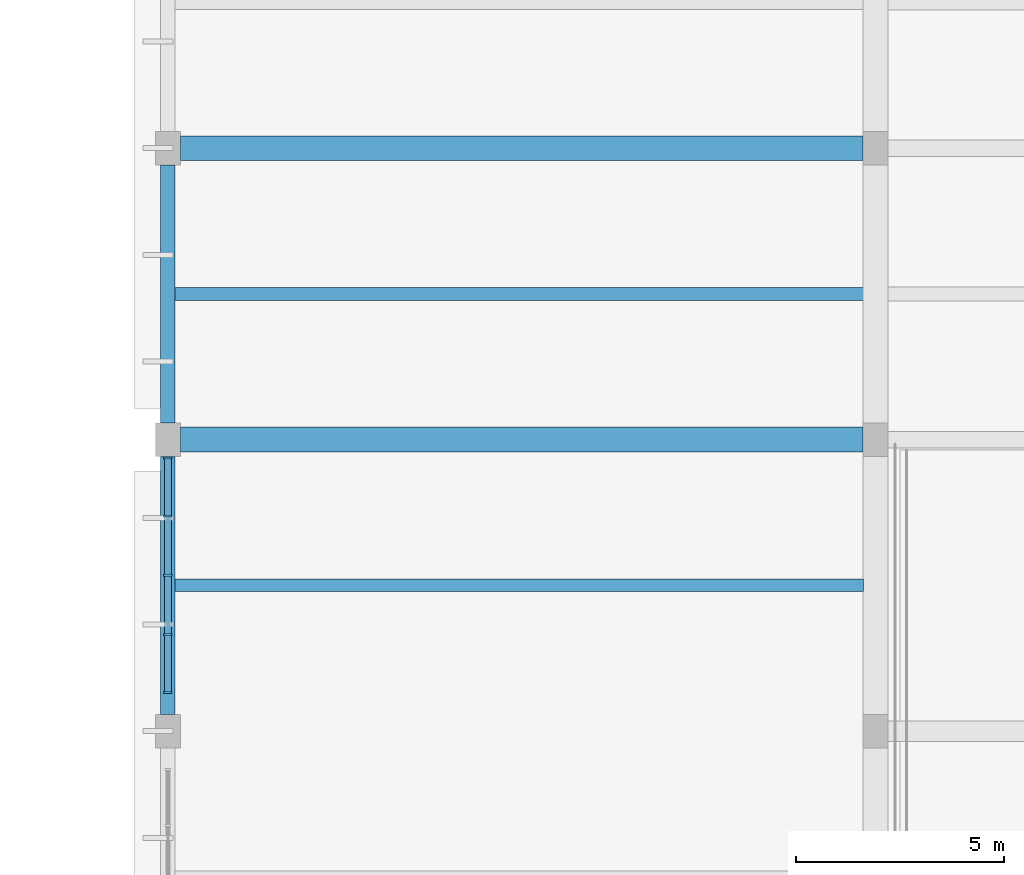
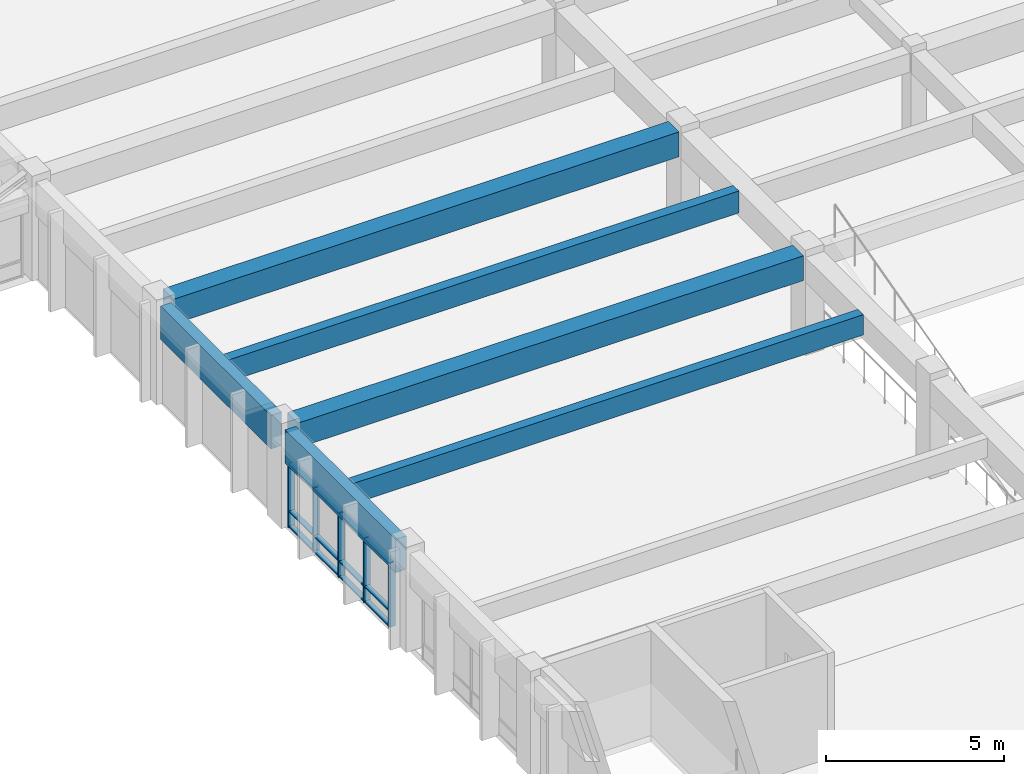
# One storey, part 23 of 77: 17 members, 6 beams, 1 element without a shape of its own.
"""IFC4 building model written with IfcOpenShell, lengths in metres."""

from ifc_helpers import new_model, si_unit, direction, frame, origin, origin_2d, place, context, subcontext, project, spatial, rectangle, extrude, material, material_profile, profile_set, type_object, element, aggregate, save


model = new_model("IFC4")

# Units and contexts
model_context = context("Model", 3, precision=1e-05, world=origin(), true_north=direction((0.0, 1.0)))
body_context = subcontext(model_context, "Body", "Model", "MODEL_VIEW")
ifc_project = project(units=[si_unit("LENGTHUNIT", "METRE"), si_unit("AREAUNIT", "SQUARE_METRE"), si_unit("VOLUMEUNIT", "CUBIC_METRE"), si_unit("PLANEANGLEUNIT", "RADIAN"), si_unit("MASSUNIT", "GRAM", prefix="KILO")], contexts=[model_context])

# Site, building, storey
site_placement = place(None, origin())
site = spatial("IfcSite", under=ifc_project, at=site_placement, CompositionType="ELEMENT")
building_placement = place(site_placement, origin())
building = spatial("IfcBuilding", under=site, at=building_placement, Name="Larkveld Mobility Hub", CompositionType="ELEMENT")
storey_placement = place(building_placement, frame((0.0, 0.0, 12.0)))
storey = spatial("IfcBuildingStorey", under=building, at=storey_placement, Name="L03", CompositionType="ELEMENT", Elevation=12.0)

# Beams
ifc_material_1 = material(Name="Precast concrete C50/60", Category="concrete")
ifc_material_profile_1 = material_profile(ifc_material_1, rectangle(XDim=0.300048828125, YDim=0.699951171875, at=origin_2d()), Name="PC DT 300x700")
ifc_profile_set_1 = profile_set([ifc_material_profile_1], Name="Precast concrete C50/60")
beam_type_1 = type_object("IfcBeamType", Name="BM-DT3070", PredefinedType="T_BEAM", material=ifc_profile_set_1)
beam_1_placement = place(storey_placement, frame((112.169921875, 66.5, 3.02001953125), z_axis=(1.0, 0.0, 0.0), x_axis=(0.0, 1.0, 0.0)))
element("IfcBeam", 1, at=beam_1_placement, inside=storey, type_object=beam_type_1, Name="Precast Double-Tee Stem L03-1117", PredefinedType="T_BEAM", context=body_context, shape_type="SweptSolid", body=[
    extrude(rectangle(XDim=0.300048828125, YDim=0.699951171875, at=origin_2d()), origin(), (0.0, 0.0, 1.0), 16.53515625),
])
ifc_material_profile_2 = material_profile(ifc_material_1, rectangle(XDim=0.320068359375, YDim=0.75, at=origin_2d()), Name="PC DT 320x750")
ifc_profile_set_2 = profile_set([ifc_material_profile_2], Name="Precast concrete C50/60")
beam_type_2 = type_object("IfcBeamType", Name="BM-DT3275", PredefinedType="T_BEAM", material=ifc_profile_set_2)
beam_2_placement = place(storey_placement, frame((112.169921875, 73.5, 2.9951171875), z_axis=(1.0, 0.0, 0.0), x_axis=(0.0, 1.0, 0.0)))
element("IfcBeam", 2, at=beam_2_placement, inside=storey, type_object=beam_type_2, Name="Precast Double-Tee Stem L03-1118", PredefinedType="T_BEAM", context=body_context, shape_type="SweptSolid", body=[
    extrude(rectangle(XDim=0.320068359375, YDim=0.75, at=origin_2d()), origin(), (0.0, 0.0, 1.0), 16.53515625),
])
ifc_material_profile_3 = material_profile(ifc_material_1, rectangle(XDim=0.60009765625, YDim=0.85009765625, at=origin_2d()), Name="PC ITB 600x850")
ifc_profile_set_3 = profile_set([ifc_material_profile_3], Name="Precast concrete C50/60")
beam_type_3 = type_object("IfcBeamType", Name="BM-ITB6085", PredefinedType="T_BEAM", material=ifc_profile_set_3)
for number, where, z_axis, x_axis, name in (
    (3, (112.300048828125, 70.0, 2.93505859375), (1.0, 0.0, 0.0), (0.0, 1.0, 0.0), "Primary E-W Girder L03-0726"),
    (4, (112.300048828125, 77.0, 2.93505859375), (1.0, 0.0, 0.0), (0.0, 1.0, 0.0), "Primary E-W Girder L03-0730"),
):
    element("IfcBeam", number, at=place(storey_placement, frame(where, z_axis=z_axis, x_axis=x_axis)), inside=storey, type_object=beam_type_3, Name=name, PredefinedType="T_BEAM", context=body_context, shape_type="SweptSolid", body=[
        extrude(rectangle(XDim=0.60009765625, YDim=0.85009765625, at=origin_2d()), origin(), (0.0, 0.0, 1.0), 16.39990234375),
    ])
ifc_material_profile_4 = material_profile(ifc_material_1, rectangle(XDim=0.35009765625, YDim=1.14990234375, at=origin_2d()), Name="PC SP 350x1150")
ifc_profile_set_4 = profile_set([ifc_material_profile_4], Name="Precast concrete C50/60")
beam_type_4 = type_object("IfcBeamType", Name="BM-SP35115", PredefinedType="SPANDREL", material=ifc_profile_set_4)
for number, where, z_axis, x_axis, name in (
    (5, (112.0, 63.39990234375, 2.784912109375), (0.0, 1.0, 0.0), (-1.0, 0.0, 0.0), "Primary N-S Girder L03-0803"),
    (6, (112.0, 70.39990234375, 2.784912109375), (0.0, 1.0, 0.0), (-1.0, 0.0, 0.0), "Primary N-S Girder L03-0804"),
):
    element("IfcBeam", number, at=place(storey_placement, frame(where, z_axis=z_axis, x_axis=x_axis)), inside=storey, type_object=beam_type_4, Name=name, PredefinedType="SPANDREL", context=body_context, shape_type="SweptSolid", body=[
        extrude(rectangle(XDim=0.35009765625, YDim=1.14990234375, at=origin_2d()), origin(), (0.0, 0.0, 1.0), 6.2001953125),
    ])

# Curtain wall, members
ifc_material_2 = material(Name="Anodised aluminium 6063-T6", Category="aluminium")
curtain_wall_type = type_object("IfcCurtainWallType", Name="CW-SYS-11", PredefinedType="NOTDEFINED", material=ifc_material_2)
curtain_wall_placement = place(storey_placement, origin())
curtain_wall = element("IfcCurtainWall", 7, at=curtain_wall_placement, inside=storey, type_object=curtain_wall_type, Name="EV Wing West Glazing L03 CW-143", PredefinedType="NOTDEFINED")
ifc_material_profile_5 = material_profile(ifc_material_2, rectangle(XDim=0.050048828125, YDim=0.2099609375, at=origin_2d()), Name="ALU MULL 50x210")
ifc_profile_set_5 = profile_set([ifc_material_profile_5], Name="Anodised aluminium 6063-T6")
member_type_1 = type_object("IfcMemberType", Name="CW-MUL-03", PredefinedType="MULLION", material=ifc_profile_set_5)
member_1_placement = place(storey_placement, frame((112.0, 69.56494140625, -0.001953125), z_axis=(0.0, 0.0, 1.0), x_axis=(0.0, -1.0, 0.0)))
member_1 = element("IfcMember", 8, at=member_1_placement, type_object=member_type_1, Name="CW11 mullion 1", PredefinedType="MULLION", context=body_context, shape_type="SweptSolid", body=[
    extrude(rectangle(XDim=0.050048828125, YDim=0.2099609375, at=origin_2d()), origin(), (0.0, 0.0, 1.0), 2.2119140625),
])
member_2_placement = place(storey_placement, frame((112.0, 68.16796875, -0.001953125), z_axis=(0.0, 0.0, 1.0), x_axis=(0.0, -1.0, 0.0)))
member_2 = element("IfcMember", 9, at=member_2_placement, type_object=member_type_1, Name="CW11 mullion 2", PredefinedType="MULLION", context=body_context, shape_type="SweptSolid", body=[
    extrude(rectangle(XDim=0.050048828125, YDim=0.2099609375, at=origin_2d()), origin(), (0.0, 0.0, 1.0), 2.2119140625),
])
member_3_placement = place(storey_placement, frame((112.0, 66.7451171875, -0.001953125), z_axis=(0.0, 0.0, 1.0), x_axis=(0.0, -1.0, 0.0)))
member_3 = element("IfcMember", 10, at=member_3_placement, type_object=member_type_1, Name="CW11 mullion 3", PredefinedType="MULLION", context=body_context, shape_type="SweptSolid", body=[
    extrude(rectangle(XDim=0.050048828125, YDim=0.2099609375, at=origin_2d()), origin(), (0.0, 0.0, 1.0), 2.2119140625),
])
member_4_placement = place(storey_placement, frame((112.0, 65.322998046875, -0.001953125), z_axis=(0.0, 0.0, 1.0), x_axis=(0.0, -1.0, 0.0)))
member_4 = element("IfcMember", 11, at=member_4_placement, type_object=member_type_1, Name="CW11 mullion 4", PredefinedType="MULLION", context=body_context, shape_type="SweptSolid", body=[
    extrude(rectangle(XDim=0.050048828125, YDim=0.2099609375, at=origin_2d()), origin(), (0.0, 0.0, 1.0), 2.2119140625),
])
member_5_placement = place(storey_placement, frame((112.0, 63.925048828125, -0.001953125), z_axis=(0.0, 0.0, 1.0), x_axis=(0.0, -1.0, 0.0)))
member_5 = element("IfcMember", 12, at=member_5_placement, type_object=member_type_1, Name="CW11 mullion 5", PredefinedType="MULLION", context=body_context, shape_type="SweptSolid", body=[
    extrude(rectangle(XDim=0.050048828125, YDim=0.2099609375, at=origin_2d()), origin(), (0.0, 0.0, 1.0), 2.2119140625),
])
ifc_material_profile_6 = material_profile(ifc_material_2, rectangle(XDim=0.169921875, YDim=0.050048828125, at=origin_2d()), Name="ALU TRAN 50x170")
ifc_profile_set_6 = profile_set([ifc_material_profile_6], Name="Anodised aluminium 6063-T6")
member_type_2 = type_object("IfcMemberType", Name="CW-TRN-03", PredefinedType="USERDEFINED", material=ifc_profile_set_6)
member_6_placement = place(storey_placement, frame((112.0, 69.554931640625, 0.030029296875), z_axis=(0.0, -1.0, 0.0), x_axis=(1.0, 0.0, 0.0)))
member_6 = element("IfcMember", 13, at=member_6_placement, type_object=member_type_2, Name="CW11 transom 1.1", ObjectType="TRANSOM", PredefinedType="USERDEFINED", context=body_context, shape_type="SweptSolid", body=[
    extrude(rectangle(XDim=0.169921875, YDim=0.050048828125, at=origin_2d()), origin(), (0.0, 0.0, 1.0), 1.371826171875),
])
member_7_placement = place(storey_placement, frame((112.0, 69.554931640625, 0.552001953125), z_axis=(0.0, -1.0, 0.0), x_axis=(1.0, 0.0, 0.0)))
member_7 = element("IfcMember", 14, at=member_7_placement, type_object=member_type_2, Name="CW11 transom 1.2", ObjectType="TRANSOM", PredefinedType="USERDEFINED", context=body_context, shape_type="SweptSolid", body=[
    extrude(rectangle(XDim=0.169921875, YDim=0.050048828125, at=origin_2d()), origin(), (0.0, 0.0, 1.0), 1.371826171875),
])
member_8_placement = place(storey_placement, frame((112.0, 69.554931640625, 2.177978515625), z_axis=(0.0, -1.0, 0.0), x_axis=(1.0, 0.0, 0.0)))
member_8 = element("IfcMember", 15, at=member_8_placement, type_object=member_type_2, Name="CW11 transom 1.3", ObjectType="TRANSOM", PredefinedType="USERDEFINED", context=body_context, shape_type="SweptSolid", body=[
    extrude(rectangle(XDim=0.169921875, YDim=0.050048828125, at=origin_2d()), origin(), (0.0, 0.0, 1.0), 1.371826171875),
])
member_9_placement = place(storey_placement, frame((112.0, 68.153076171875, 0.030029296875), z_axis=(0.0, -1.0, 0.0), x_axis=(1.0, 0.0, 0.0)))
member_9 = element("IfcMember", 16, at=member_9_placement, type_object=member_type_2, Name="CW11 transom 2.1", ObjectType="TRANSOM", PredefinedType="USERDEFINED", context=body_context, shape_type="SweptSolid", body=[
    extrude(rectangle(XDim=0.169921875, YDim=0.050048828125, at=origin_2d()), origin(), (0.0, 0.0, 1.0), 1.39306640625),
])
member_10_placement = place(storey_placement, frame((112.0, 68.153076171875, 0.552001953125), z_axis=(0.0, -1.0, 0.0), x_axis=(1.0, 0.0, 0.0)))
member_10 = element("IfcMember", 17, at=member_10_placement, type_object=member_type_2, Name="CW11 transom 2.2", ObjectType="TRANSOM", PredefinedType="USERDEFINED", context=body_context, shape_type="SweptSolid", body=[
    extrude(rectangle(XDim=0.169921875, YDim=0.050048828125, at=origin_2d()), origin(), (0.0, 0.0, 1.0), 1.39306640625),
])
member_11_placement = place(storey_placement, frame((112.0, 68.153076171875, 2.177978515625), z_axis=(0.0, -1.0, 0.0), x_axis=(1.0, 0.0, 0.0)))
member_11 = element("IfcMember", 18, at=member_11_placement, type_object=member_type_2, Name="CW11 transom 2.3", ObjectType="TRANSOM", PredefinedType="USERDEFINED", context=body_context, shape_type="SweptSolid", body=[
    extrude(rectangle(XDim=0.169921875, YDim=0.050048828125, at=origin_2d()), origin(), (0.0, 0.0, 1.0), 1.39306640625),
])
member_12_placement = place(storey_placement, frame((112.0, 66.72998046875, 0.030029296875), z_axis=(0.0, -1.0, 0.0), x_axis=(1.0, 0.0, 0.0)))
member_12 = element("IfcMember", 19, at=member_12_placement, type_object=member_type_2, Name="CW11 transom 3.1", ObjectType="TRANSOM", PredefinedType="USERDEFINED", context=body_context, shape_type="SweptSolid", body=[
    extrude(rectangle(XDim=0.169921875, YDim=0.050048828125, at=origin_2d()), origin(), (0.0, 0.0, 1.0), 1.39208984375),
])
member_13_placement = place(storey_placement, frame((112.0, 66.72998046875, 0.552001953125), z_axis=(0.0, -1.0, 0.0), x_axis=(1.0, 0.0, 0.0)))
member_13 = element("IfcMember", 20, at=member_13_placement, type_object=member_type_2, Name="CW11 transom 3.2", ObjectType="TRANSOM", PredefinedType="USERDEFINED", context=body_context, shape_type="SweptSolid", body=[
    extrude(rectangle(XDim=0.169921875, YDim=0.050048828125, at=origin_2d()), origin(), (0.0, 0.0, 1.0), 1.39208984375),
])
member_14_placement = place(storey_placement, frame((112.0, 66.72998046875, 2.177978515625), z_axis=(0.0, -1.0, 0.0), x_axis=(1.0, 0.0, 0.0)))
member_14 = element("IfcMember", 21, at=member_14_placement, type_object=member_type_2, Name="CW11 transom 3.3", ObjectType="TRANSOM", PredefinedType="USERDEFINED", context=body_context, shape_type="SweptSolid", body=[
    extrude(rectangle(XDim=0.169921875, YDim=0.050048828125, at=origin_2d()), origin(), (0.0, 0.0, 1.0), 1.39208984375),
])
member_15_placement = place(storey_placement, frame((112.0, 65.30810546875, 0.030029296875), z_axis=(0.0, -1.0, 0.0), x_axis=(1.0, 0.0, 0.0)))
member_15 = element("IfcMember", 22, at=member_15_placement, type_object=member_type_2, Name="CW11 transom 4.1", ObjectType="TRANSOM", PredefinedType="USERDEFINED", context=body_context, shape_type="SweptSolid", body=[
    extrude(rectangle(XDim=0.169921875, YDim=0.050048828125, at=origin_2d()), origin(), (0.0, 0.0, 1.0), 1.373046875),
])
member_16_placement = place(storey_placement, frame((112.0, 65.30810546875, 0.552001953125), z_axis=(0.0, -1.0, 0.0), x_axis=(1.0, 0.0, 0.0)))
member_16 = element("IfcMember", 23, at=member_16_placement, type_object=member_type_2, Name="CW11 transom 4.2", ObjectType="TRANSOM", PredefinedType="USERDEFINED", context=body_context, shape_type="SweptSolid", body=[
    extrude(rectangle(XDim=0.169921875, YDim=0.050048828125, at=origin_2d()), origin(), (0.0, 0.0, 1.0), 1.373046875),
])
member_17_placement = place(storey_placement, frame((112.0, 65.30810546875, 2.177978515625), z_axis=(0.0, -1.0, 0.0), x_axis=(1.0, 0.0, 0.0)))
member_17 = element("IfcMember", 24, at=member_17_placement, type_object=member_type_2, Name="CW11 transom 4.3", ObjectType="TRANSOM", PredefinedType="USERDEFINED", context=body_context, shape_type="SweptSolid", body=[
    extrude(rectangle(XDim=0.169921875, YDim=0.050048828125, at=origin_2d()), origin(), (0.0, 0.0, 1.0), 1.373046875),
])
aggregate(curtain_wall, [member_1, member_2, member_3, member_4, member_5, member_6, member_7, member_8, member_9, member_10, member_11, member_12, member_13, member_14, member_15, member_16, member_17])

save(model, "model.ifc")
